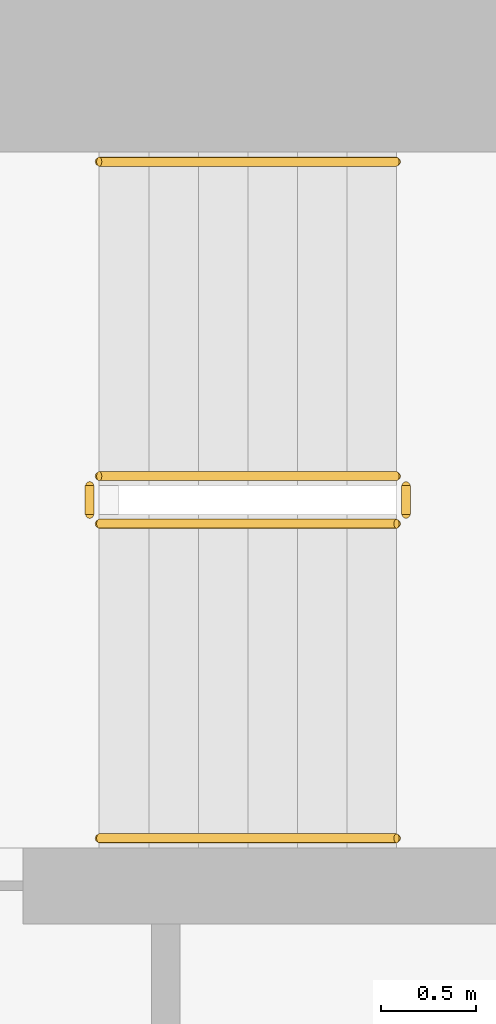
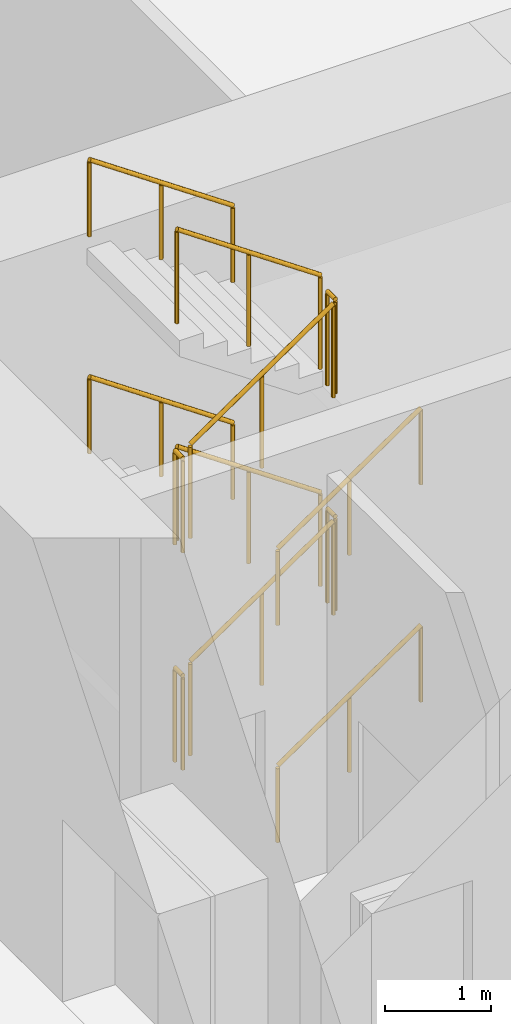
# One storey, part 51 of 59: 12 railings.
"""IFC4 building model written with IfcOpenShell, lengths in metres."""

from ifc_helpers import new_model, si_unit, direction, frame, origin, origin_2d, place, context, subcontext, project, spatial, circle, extrude, material, type_object, element, save


model = new_model("IFC4")

# Units and contexts
model_context = context("Model", 3, precision=1e-05, world=origin(), true_north=direction((0.0, 1.0)))
body_context = subcontext(model_context, "Body", "Model", "MODEL_VIEW")
ifc_project = project(units=[si_unit("LENGTHUNIT", "METRE"), si_unit("AREAUNIT", "SQUARE_METRE"), si_unit("VOLUMEUNIT", "CUBIC_METRE"), si_unit("PLANEANGLEUNIT", "RADIAN"), si_unit("MASSUNIT", "GRAM", prefix="KILO")], contexts=[model_context])

# Site, building, storey
site_placement = place(None, origin())
site = spatial("IfcSite", under=ifc_project, at=site_placement, CompositionType="ELEMENT")
building_placement = place(site_placement, origin())
building = spatial("IfcBuilding", under=site, at=building_placement, Name="Ipe Terrace Towers", CompositionType="ELEMENT")
storey_placement = place(building_placement, frame((0.0, 0.0, 6.0)))
storey = spatial("IfcBuildingStorey", under=building, at=storey_placement, Name="L01", CompositionType="ELEMENT", Elevation=6.0)

# Railings
ifc_material_1 = material(Name="Steel S355", Category="steel")
railing_type_1 = type_object("IfcRailingType", Name="Stair guard 1100", PredefinedType="GUARDRAIL", material=ifc_material_1)
railing_1_placement = place(storey_placement, frame((-26.300048828125, 3.60009765625, 0.178466796875)))
element("IfcRailing", 1, at=railing_1_placement, inside=storey, type_object=railing_type_1, Name="L01 T1-ST1 stair guard 1", PredefinedType="GUARDRAIL", context=body_context, shape_type="SweptSolid", body=[
    extrude(circle(Radius=0.02392578125, at=origin_2d()), frame((0.0, 0.0, 1.076171875), z_axis=(0.82429025813, 0.0, 0.566167440208), x_axis=(0.0, 1.0, 0.0)), (0.0, 0.0, 1.0), 1.892578125),
    extrude(circle(Radius=0.02099609375, at=origin_2d()), origin(), (0.0, 0.0, 1.0), 1.052001953125),
    extrude(circle(Radius=0.02099609375, at=origin_2d()), frame((0.780029296875, 0.0, 0.53564453125)), (0.0, 0.0, 1.0), 1.052001953125),
    extrude(circle(Radius=0.02099609375, at=origin_2d()), frame((1.56005859375, 0.0, 1.071533203125)), (0.0, 0.0, 1.0), 1.052001953125),
])
railing_2_placement = place(storey_placement, frame((-24.68994140625, 3.64990234375, 1.25)))
element("IfcRailing", 2, at=railing_2_placement, inside=storey, type_object=railing_type_1, Name="L01 T1-ST1 stair guard 2", PredefinedType="GUARDRAIL", context=body_context, shape_type="SweptSolid", body=[
    extrude(circle(Radius=0.02392578125, at=origin_2d()), frame((0.0, 0.0, 1.076171875), z_axis=(0.0, 1.0, 0.0), x_axis=(-1.0, 0.0, 0.0)), (0.0, 0.0, 1.0), 0.150146484375),
    extrude(circle(Radius=0.02099609375, at=origin_2d()), origin(), (0.0, 0.0, 1.0), 1.052001953125),
    extrude(circle(Radius=0.02099609375, at=origin_2d()), frame((0.0, 0.150146484375, 0.0)), (0.0, 0.0, 1.0), 1.052001953125),
])
railing_3_placement = place(storey_placement, frame((-24.739990234375, 3.85009765625, 1.428466796875)))
element("IfcRailing", 3, at=railing_3_placement, inside=storey, type_object=railing_type_1, Name="L01 T1-ST1 stair guard 3", PredefinedType="GUARDRAIL", context=body_context, shape_type="SweptSolid", body=[
    extrude(circle(Radius=0.02392578125, at=origin_2d()), frame((0.0, 0.0, 1.076171875), z_axis=(-0.82429025813, 0.0, 0.566167440208), x_axis=(0.0, -1.0, 0.0)), (0.0, 0.0, 1.0), 1.892578125),
    extrude(circle(Radius=0.02099609375, at=origin_2d()), origin(), (0.0, 0.0, 1.0), 1.052001953125),
    extrude(circle(Radius=0.02099609375, at=origin_2d()), frame((-0.780029296875, 0.0, 0.53564453125)), (0.0, 0.0, 1.0), 1.052001953125),
    extrude(circle(Radius=0.02099609375, at=origin_2d()), frame((-1.56005859375, 0.0, 1.071533203125)), (0.0, 0.0, 1.0), 1.052001953125),
])
railing_4_placement = place(storey_placement, frame((-26.35009765625, 3.64990234375, 2.5)))
element("IfcRailing", 4, at=railing_4_placement, inside=storey, type_object=railing_type_1, Name="L01 T1-ST1 stair guard 4", PredefinedType="GUARDRAIL", context=body_context, shape_type="SweptSolid", body=[
    extrude(circle(Radius=0.02392578125, at=origin_2d()), frame((0.0, 0.0, 1.076171875), z_axis=(0.0, 1.0, 0.0), x_axis=(-1.0, 0.0, 0.0)), (0.0, 0.0, 1.0), 0.150146484375),
    extrude(circle(Radius=0.02099609375, at=origin_2d()), origin(), (0.0, 0.0, 1.0), 1.052001953125),
    extrude(circle(Radius=0.02099609375, at=origin_2d()), frame((0.0, 0.150146484375, 0.0)), (0.0, 0.0, 1.0), 1.052001953125),
])
railing_5_placement = place(storey_placement, frame((-26.300048828125, 3.60009765625, 2.678466796875)))
element("IfcRailing", 5, at=railing_5_placement, inside=storey, type_object=railing_type_1, Name="L01 T1-ST1 stair guard 5", PredefinedType="GUARDRAIL", context=body_context, shape_type="SweptSolid", body=[
    extrude(circle(Radius=0.02392578125, at=origin_2d()), frame((0.0, 0.0, 1.076171875), z_axis=(0.82429025813, 0.0, 0.566167440208), x_axis=(0.0, 1.0, 0.0)), (0.0, 0.0, 1.0), 1.892578125),
    extrude(circle(Radius=0.02099609375, at=origin_2d()), origin(), (0.0, 0.0, 1.0), 1.052001953125),
    extrude(circle(Radius=0.02099609375, at=origin_2d()), frame((0.780029296875, 0.0, 0.53564453125)), (0.0, 0.0, 1.0), 1.052001953125),
    extrude(circle(Radius=0.02099609375, at=origin_2d()), frame((1.56005859375, 0.0, 1.071533203125)), (0.0, 0.0, 1.0), 1.052001953125),
])
railing_6_placement = place(storey_placement, frame((-24.68994140625, 3.64990234375, 3.75)))
element("IfcRailing", 6, at=railing_6_placement, inside=storey, type_object=railing_type_1, Name="L01 T1-ST1 stair guard 6", PredefinedType="GUARDRAIL", context=body_context, shape_type="SweptSolid", body=[
    extrude(circle(Radius=0.02392578125, at=origin_2d()), frame((0.0, 0.0, 1.076171875), z_axis=(0.0, 1.0, 0.0), x_axis=(-1.0, 0.0, 0.0)), (0.0, 0.0, 1.0), 0.150146484375),
    extrude(circle(Radius=0.02099609375, at=origin_2d()), origin(), (0.0, 0.0, 1.0), 1.052001953125),
    extrude(circle(Radius=0.02099609375, at=origin_2d()), frame((0.0, 0.150146484375, 0.0)), (0.0, 0.0, 1.0), 1.052001953125),
])
railing_7_placement = place(storey_placement, frame((-24.739990234375, 3.85009765625, 3.928466796875)))
element("IfcRailing", 7, at=railing_7_placement, inside=storey, type_object=railing_type_1, Name="L01 T1-ST1 stair guard 7", PredefinedType="GUARDRAIL", context=body_context, shape_type="SweptSolid", body=[
    extrude(circle(Radius=0.02392578125, at=origin_2d()), frame((0.0, 0.0, 1.076171875), z_axis=(-0.82429025813, 0.0, 0.566167440208), x_axis=(0.0, -1.0, 0.0)), (0.0, 0.0, 1.0), 1.892578125),
    extrude(circle(Radius=0.02099609375, at=origin_2d()), origin(), (0.0, 0.0, 1.0), 1.052001953125),
    extrude(circle(Radius=0.02099609375, at=origin_2d()), frame((-0.780029296875, 0.0, 0.53564453125)), (0.0, 0.0, 1.0), 1.052001953125),
    extrude(circle(Radius=0.02099609375, at=origin_2d()), frame((-1.56005859375, 0.0, 1.071533203125)), (0.0, 0.0, 1.0), 1.052001953125),
])
railing_8_placement = place(storey_placement, frame((-26.35009765625, 3.64990234375, 0.0)))
element("IfcRailing", 8, at=railing_8_placement, inside=storey, type_object=railing_type_1, Name="L01 T1-ST1 stair guard 8", PredefinedType="GUARDRAIL", context=body_context, shape_type="SweptSolid", body=[
    extrude(circle(Radius=0.02392578125, at=origin_2d()), frame((0.0, 0.0, 1.076171875), z_axis=(0.0, 1.0, 0.0), x_axis=(-1.0, 0.0, 0.0)), (0.0, 0.0, 1.0), 0.150146484375),
    extrude(circle(Radius=0.02099609375, at=origin_2d()), origin(), (0.0, 0.0, 1.0), 1.052001953125),
    extrude(circle(Radius=0.02099609375, at=origin_2d()), frame((0.0, 0.150146484375, 0.0)), (0.0, 0.0, 1.0), 1.052001953125),
])
ifc_material_2 = material(Name="Stainless steel grade 304", Category="steel")
railing_type_2 = type_object("IfcRailingType", Name="Stair handrail 900", PredefinedType="HANDRAIL", material=ifc_material_2)
railing_9_placement = place(storey_placement, frame((-26.300048828125, 1.949951171875, 0.178466796875)))
element("IfcRailing", 9, at=railing_9_placement, inside=storey, type_object=railing_type_2, Name="L01 T1-ST1 stair handrail 1", PredefinedType="HANDRAIL", context=body_context, shape_type="SweptSolid", body=[
    extrude(circle(Radius=0.02392578125, at=origin_2d()), frame((0.0, 0.0, 0.8759765625), z_axis=(0.82429025813, 0.0, 0.566167440208), x_axis=(0.0, 1.0, 0.0)), (0.0, 0.0, 1.0), 1.892578125),
    extrude(circle(Radius=0.02099609375, at=origin_2d()), origin(), (0.0, 0.0, 1.0), 0.851806640625),
    extrude(circle(Radius=0.02099609375, at=origin_2d()), frame((0.780029296875, 0.0, 0.53564453125)), (0.0, 0.0, 1.0), 0.851806640625),
    extrude(circle(Radius=0.02099609375, at=origin_2d()), frame((1.56005859375, 0.0, 1.071533203125)), (0.0, 0.0, 1.0), 0.851806640625),
])
railing_10_placement = place(storey_placement, frame((-24.739990234375, 5.5, 1.428466796875)))
element("IfcRailing", 10, at=railing_10_placement, inside=storey, type_object=railing_type_2, Name="L01 T1-ST1 stair handrail 2", PredefinedType="HANDRAIL", context=body_context, shape_type="SweptSolid", body=[
    extrude(circle(Radius=0.02392578125, at=origin_2d()), frame((0.0, 0.0, 0.8759765625), z_axis=(-0.82429025813, 0.0, 0.566167440208), x_axis=(0.0, -1.0, 0.0)), (0.0, 0.0, 1.0), 1.892578125),
    extrude(circle(Radius=0.02099609375, at=origin_2d()), origin(), (0.0, 0.0, 1.0), 0.851806640625),
    extrude(circle(Radius=0.02099609375, at=origin_2d()), frame((-0.780029296875, 0.0, 0.53564453125)), (0.0, 0.0, 1.0), 0.851806640625),
    extrude(circle(Radius=0.02099609375, at=origin_2d()), frame((-1.56005859375, 0.0, 1.071533203125)), (0.0, 0.0, 1.0), 0.851806640625),
])
railing_11_placement = place(storey_placement, frame((-26.300048828125, 1.949951171875, 2.678466796875)))
element("IfcRailing", 11, at=railing_11_placement, inside=storey, type_object=railing_type_2, Name="L01 T1-ST1 stair handrail 3", PredefinedType="HANDRAIL", context=body_context, shape_type="SweptSolid", body=[
    extrude(circle(Radius=0.02392578125, at=origin_2d()), frame((0.0, 0.0, 0.8759765625), z_axis=(0.82429025813, 0.0, 0.566167440208), x_axis=(0.0, 1.0, 0.0)), (0.0, 0.0, 1.0), 1.892578125),
    extrude(circle(Radius=0.02099609375, at=origin_2d()), origin(), (0.0, 0.0, 1.0), 0.851806640625),
    extrude(circle(Radius=0.02099609375, at=origin_2d()), frame((0.780029296875, 0.0, 0.53564453125)), (0.0, 0.0, 1.0), 0.851806640625),
    extrude(circle(Radius=0.02099609375, at=origin_2d()), frame((1.56005859375, 0.0, 1.071533203125)), (0.0, 0.0, 1.0), 0.851806640625),
])
railing_12_placement = place(storey_placement, frame((-24.739990234375, 5.5, 3.928466796875)))
element("IfcRailing", 12, at=railing_12_placement, inside=storey, type_object=railing_type_2, Name="L01 T1-ST1 stair handrail 4", PredefinedType="HANDRAIL", context=body_context, shape_type="SweptSolid", body=[
    extrude(circle(Radius=0.02392578125, at=origin_2d()), frame((0.0, 0.0, 0.8759765625), z_axis=(-0.82429025813, 0.0, 0.566167440208), x_axis=(0.0, -1.0, 0.0)), (0.0, 0.0, 1.0), 1.892578125),
    extrude(circle(Radius=0.02099609375, at=origin_2d()), origin(), (0.0, 0.0, 1.0), 0.851806640625),
    extrude(circle(Radius=0.02099609375, at=origin_2d()), frame((-0.780029296875, 0.0, 0.53564453125)), (0.0, 0.0, 1.0), 0.851806640625),
    extrude(circle(Radius=0.02099609375, at=origin_2d()), frame((-1.56005859375, 0.0, 1.071533203125)), (0.0, 0.0, 1.0), 0.851806640625),
])

save(model, "model.ifc")
